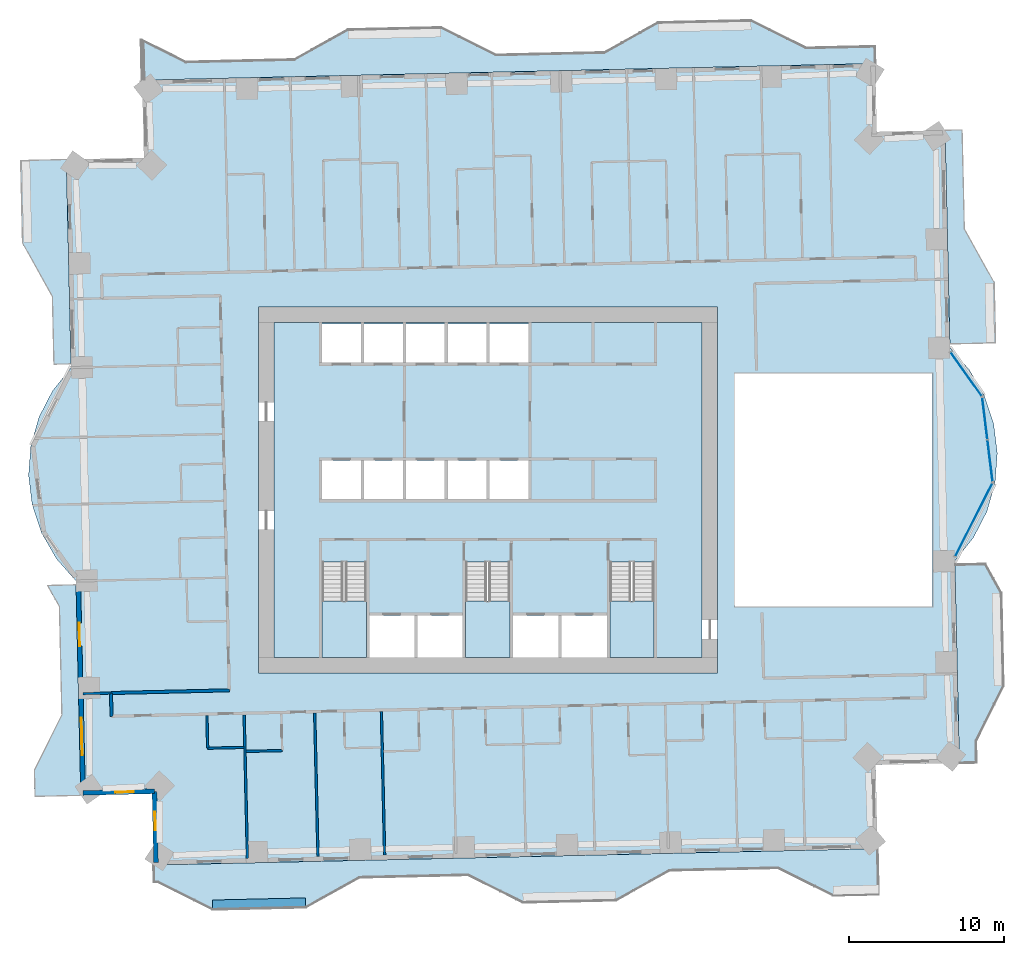
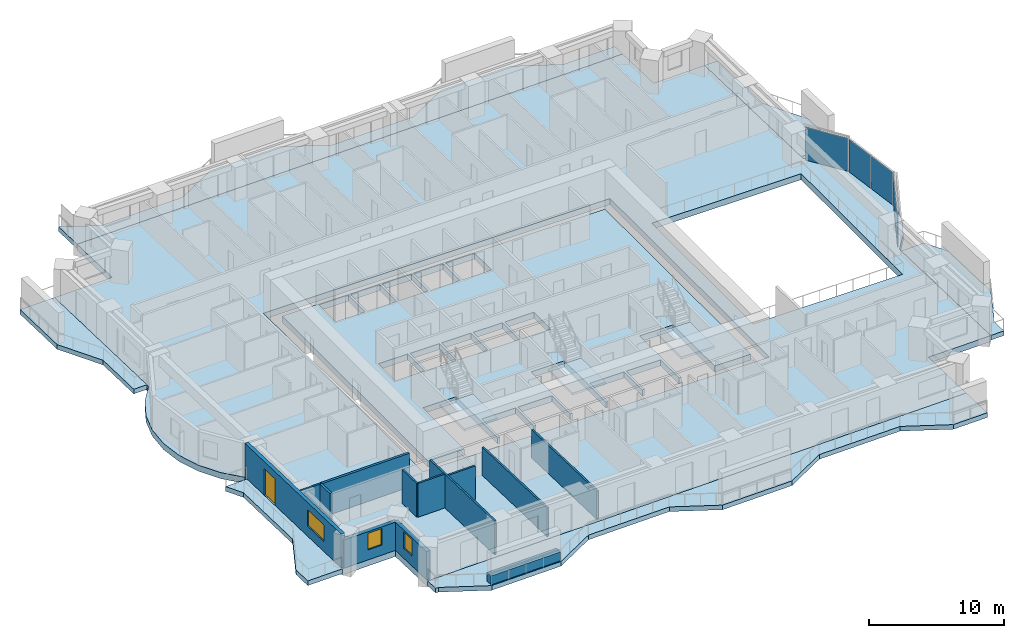
# One storey, part 5 of 17: 13 walls, 11 slabs, 4 plates, 3 windows, 1 door, 4 openings, 6 elements without a shape of their own.
"""IFC4 building model written with IfcOpenShell, lengths in metres."""

from ifc_helpers import new_model, si_unit, direction, frame, frame_2d, origin, origin_2d, place, context, subcontext, project, spatial, polyline, rectangle, outline, extrude, material, layer, layer_set, type_object, element, fill, aggregate, save


model = new_model("IFC4")

# Units and contexts
model_context = context("Model", 3, precision=1e-05, world=origin(), true_north=direction((0.0, 1.0)))
body_context = subcontext(model_context, "Body", "Model", "MODEL_VIEW")
ifc_project = project(units=[si_unit("LENGTHUNIT", "METRE"), si_unit("AREAUNIT", "SQUARE_METRE"), si_unit("VOLUMEUNIT", "CUBIC_METRE"), si_unit("PLANEANGLEUNIT", "RADIAN"), si_unit("MASSUNIT", "GRAM", prefix="KILO")], contexts=[model_context])

# Site, building, storey
site_placement = place(None, origin())
site = spatial("IfcSite", under=ifc_project, at=site_placement, CompositionType="ELEMENT")
building_placement = place(site_placement, origin())
building = spatial("IfcBuilding", under=site, at=building_placement, Name="Mangrove Gate Tower", CompositionType="ELEMENT")
storey_placement = place(building_placement, frame((0.0, 0.0, 93.699951171875)))
storey = spatial("IfcBuildingStorey", under=building, at=storey_placement, Name="L23", CompositionType="ELEMENT", Elevation=93.699951171875)

# Curtain wall, plate
ifc_material_1 = material(Name="Aluminium and glass curtain wall", Category="aluminium")
curtain_wall_type = type_object("IfcCurtainWallType", Name="Atrium garden-court glazing wall", PredefinedType="NOTDEFINED", material=ifc_material_1)
curtain_wall_1_placement = place(storey_placement, origin())
curtain_wall_1 = element("IfcCurtainWall", 1, at=curtain_wall_1_placement, inside=storey, type_object=curtain_wall_type, Name="Atrium garden-court glazing E1f1", PredefinedType="NOTDEFINED")
ifc_material_2 = material(Name="Laminated low-e glass", Category="glass")
ifc_layer_1 = layer(ifc_material_2, 0.031982421875)
ifc_layer_set_1 = layer_set([ifc_layer_1], Name="Atrium garden-court glazing panel 32")
plate_type = type_object("IfcPlateType", Name="Atrium garden-court glazing panel 32", PredefinedType="CURTAIN_PANEL", material=ifc_layer_set_1)
plate_1_placement = place(storey_placement, frame((31.310791015625, -1.928466796875, 0.0), z_axis=(0.0, 0.0, 1.0), x_axis=(0.452580762064, 0.891723417776, 0.0)))
plate_1 = element("IfcPlate", 2, at=plate_1_placement, type_object=plate_type, Name="CWA panel 1.1", PredefinedType="CURTAIN_PANEL", context=body_context, shape_type="SweptSolid", body=[
    extrude(rectangle(XDim=5.257568359375, YDim=0.031982421875, at=origin_2d()), origin(), (0.0, 0.0, 1.0), 2.97998046875),
])
aggregate(curtain_wall_1, [plate_1])

# Curtain wall, plates
curtain_wall_2_placement = place(storey_placement, origin())
curtain_wall_2 = element("IfcCurtainWall", 3, at=curtain_wall_2_placement, inside=storey, type_object=curtain_wall_type, Name="Atrium garden-court glazing E1f2", PredefinedType="NOTDEFINED")
plate_2_placement = place(storey_placement, frame((32.35986328125, 1.87841796875, 0.0), z_axis=(0.0, 0.0, 1.0), x_axis=(-0.122172286076, 0.992508908028, 0.0)))
plate_2 = element("IfcPlate", 4, at=plate_2_placement, type_object=plate_type, Name="CWA panel 1.1", PredefinedType="CURTAIN_PANEL", context=body_context, shape_type="SweptSolid", body=[
    extrude(rectangle(XDim=2.681640625, YDim=0.031982421875, at=origin_2d()), origin(), (0.0, 0.0, 1.0), 2.97998046875),
])
plate_3_placement = place(storey_placement, frame((32.023681640625, 4.609619140625, 0.0), z_axis=(0.0, 0.0, 1.0), x_axis=(-0.122172286076, 0.992508908028, 0.0)))
plate_3 = element("IfcPlate", 5, at=plate_3_placement, type_object=plate_type, Name="CWA panel 2.1", PredefinedType="CURTAIN_PANEL", context=body_context, shape_type="SweptSolid", body=[
    extrude(rectangle(XDim=2.681640625, YDim=0.031982421875, at=origin_2d()), origin(), (0.0, 0.0, 1.0), 2.97998046875),
])
aggregate(curtain_wall_2, [plate_2, plate_3])

# Curtain wall, plate
curtain_wall_3_placement = place(storey_placement, origin())
curtain_wall_3 = element("IfcCurtainWall", 6, at=curtain_wall_3_placement, inside=storey, type_object=curtain_wall_type, Name="Atrium garden-court glazing E1f3", PredefinedType="NOTDEFINED")
plate_4_placement = place(storey_placement, frame((30.81982421875, 7.465576171875, 0.0), z_axis=(0.0, 0.0, 1.0), x_axis=(-0.578109291006, 0.815959341911, 0.0)))
plate_4 = element("IfcPlate", 7, at=plate_4_placement, type_object=plate_type, Name="CWA panel 1.1", PredefinedType="CURTAIN_PANEL", context=body_context, shape_type="SweptSolid", body=[
    extrude(rectangle(XDim=3.42822265625, YDim=0.031982421875, at=origin_2d()), origin(), (0.0, 0.0, 1.0), 2.97998046875),
])
aggregate(curtain_wall_3, [plate_4])

# Slabs
ifc_material_3 = material(Name="Porcelain tile")
ifc_layer_2 = layer(ifc_material_3, 0.02001953125, Name="Tile finish")
ifc_material_4 = material(Name="Cement sand screed")
ifc_layer_3 = layer(ifc_material_4, 0.0400390625, Name="Screed laid to falls")
ifc_material_5 = material(Name="Bituminous waterproofing membrane")
ifc_layer_4 = layer(ifc_material_5, 0.00390625, Name="Waterproofing")
ifc_material_6 = material(Name="Concrete C40/50", Category="concrete")
ifc_layer_5 = layer(ifc_material_6, 0.340087890625, Name="Balcony structural slab")
ifc_material_7 = material(Name="Limestone", Category="masonry")
ifc_layer_6 = layer(ifc_material_7, 0.01611328125, Name="Soffit lining")
ifc_layer_set_2 = layer_set([ifc_layer_2, ifc_layer_3, ifc_layer_4, ifc_layer_5, ifc_layer_6], Name="Balcony slab 420 C40/50")
slab_type_1 = type_object("IfcSlabType", Name="Balcony slab 420 C40/50", PredefinedType="FLOOR", material=ifc_layer_set_2)
slab_1_placement = place(storey_placement, frame((0.0, 0.0, -0.419921875)))
element("IfcSlab", 8, at=slab_1_placement, inside=storey, type_object=slab_type_1, Name="BALCONY L23 E0", PredefinedType="FLOOR", context=body_context, shape_type="SweptSolid", body=[
    extrude(outline(polyline([(31.52001953125, -17.575927734375), (31.488037109375, -16.177001953125), (33.258056640625, -12.635009765625), (33.1220703125, -6.636962890625), (32.089111328125, -4.784912109375), (30.090087890625, -4.8310546875), (30.133056640625, -6.705078125), (30.26904296875, -12.702880859375), (30.347900390625, -16.201904296875), (30.3798828125, -17.60205078125), (31.52001953125, -17.575927734375)])), origin(), (0.0, 0.0, 1.0), 0.419921875),
])
slab_2_placement = place(storey_placement, frame((0.0, 0.0, -0.419921875)))
element("IfcSlab", 9, at=slab_2_placement, inside=storey, type_object=slab_type_1, Name="BALCONY L23 E1", PredefinedType="FLOOR", context=body_context, shape_type="SweptSolid", body=[
    extrude(outline(polyline([(32.756103515625, 9.48388671875), (32.66796875, 13.35791015625), (30.739013671875, 16.81494140625), (30.593994140625, 23.212890625), (29.455078125, 23.18701171875), (29.60009765625, 16.7890625), (29.678955078125, 13.2900390625), (29.76708984375, 9.416015625), (32.756103515625, 9.48388671875)])), origin(), (0.0, 0.0, 1.0), 0.419921875),
])
slab_3_placement = place(storey_placement, frame((0.0, 0.0, -0.419921875)))
element("IfcSlab", 10, at=slab_3_placement, inside=storey, type_object=slab_type_1, Name="BALCONY L23 N0", PredefinedType="FLOOR", context=body_context, shape_type="SweptSolid", body=[
    extrude(outline(polyline([(24.929931640625, 28.6259765625), (20.4951171875, 28.52587890625), (16.9541015625, 30.2958984375), (10.9560546875, 30.159912109375), (7.498046875, 28.23095703125), (0.5, 28.072998046875), (-3.041015625, 29.842041015625), (-9.0390625, 29.7060546875), (-12.49609375, 27.777099609375), (-19.4951171875, 27.618896484375), (-22.364013671875, 29.052001953125), (-22.303955078125, 26.4140625), (24.9560546875, 27.487060546875), (24.929931640625, 28.6259765625)])), origin(), (0.0, 0.0, 1.0), 0.419921875),
])
slab_4_placement = place(storey_placement, frame((0.0, 0.0, -0.419921875)))
element("IfcSlab", 11, at=slab_4_placement, inside=storey, type_object=slab_type_1, Name="BALCONY L23 W0", PredefinedType="FLOOR", context=body_context, shape_type="SweptSolid", body=[
    extrude(outline(polyline([(-30.177978515625, 21.23388671875), (-30.05810546875, 15.93505859375), (-28.12890625, 12.47802734375), (-28.030029296875, 8.10498046875), (-26.889892578125, 8.131103515625), (-26.989990234375, 12.50390625), (-27.069091796875, 16.0029296875), (-27.18896484375, 21.302001953125), (-30.177978515625, 21.23388671875)])), origin(), (0.0, 0.0, 1.0), 0.419921875),
])
slab_5_placement = place(storey_placement, frame((0.0, 0.0, -0.419921875)))
element("IfcSlab", 12, at=slab_5_placement, inside=storey, type_object=slab_type_1, Name="BALCONY L23 W1", PredefinedType="FLOOR", context=body_context, shape_type="SweptSolid", body=[
    extrude(outline(polyline([(-28.43310546875, -6.158935546875), (-27.676025390625, -7.51708984375), (-27.51708984375, -14.514892578125), (-29.287109375, -18.055908203125), (-29.248046875, -19.7548828125), (-26.259033203125, -19.68798828125), (-26.298095703125, -17.988037109375), (-26.376953125, -14.489013671875), (-26.535888671875, -7.490966796875), (-26.56689453125, -6.115966796875), (-28.43310546875, -6.158935546875)])), origin(), (0.0, 0.0, 1.0), 0.419921875),
])
slab_6_placement = place(storey_placement, frame((0.0, 0.0, -0.419921875)))
element("IfcSlab", 13, at=slab_6_placement, inside=storey, type_object=slab_type_1, Name="BALCONY L23 S0", PredefinedType="FLOOR", context=body_context, shape_type="SweptSolid", body=[
    extrude(outline(polyline([(-21.530029296875, -25.322021484375), (-21.2939453125, -25.31591796875), (-17.7529296875, -27.0859375), (-11.7548828125, -26.949951171875), (-8.297119140625, -25.02099609375), (-1.299072265625, -24.863037109375), (1.8359375, -26.429931640625), (2.241943359375, -26.633056640625), (8.239990234375, -26.4970703125), (11.697021484375, -24.568115234375), (18.696044921875, -24.409912109375), (22.237060546875, -26.178955078125), (25.172119140625, -26.112060546875), (25.10400390625, -23.123046875), (2.174072265625, -23.64306640625), (1.77392578125, -23.653076171875), (-21.555908203125, -24.181884765625), (-21.530029296875, -25.322021484375)])), origin(), (0.0, 0.0, 1.0), 0.419921875),
])
ifc_material_8 = material(Name="Concrete C40/50", Category="concrete")
ifc_layer_7 = layer(ifc_material_8, 0.550048828125)
ifc_layer_set_3 = layer_set([ifc_layer_7], Name="Core floor slab 550 C40/50")
slab_type_2 = type_object("IfcSlabType", Name="Core floor slab 550 C40/50", PredefinedType="FLOOR", material=ifc_layer_set_3)
slab_7_placement = place(storey_placement, frame((0.0, 0.0, -0.550048828125)))
element("IfcSlab", 14, at=slab_7_placement, inside=storey, type_object=slab_type_2, Name="SLAB-L23-CORE-1", PredefinedType="FLOOR", context=body_context, shape_type="SweptSolid", body=[
    extrude(outline(polyline([(-13.800048828125, -10.800048828125), (-13.800048828125, 10.800048828125), (13.800048828125, 10.800048828125), (13.800048828125, -10.800048828125), (10.699951171875, -10.800048828125), (10.699951171875, -4.653076171875), (7.85009765625, -4.653076171875), (7.85009765625, -10.800048828125), (7.64990234375, -10.800048828125), (7.64990234375, -8.10009765625), (4.72509765625, -8.10009765625), (4.72509765625, -10.800048828125), (4.52490234375, -10.800048828125), (4.52490234375, -8.10009765625), (1.60009765625, -8.10009765625), (1.60009765625, -10.800048828125), (1.39990234375, -10.800048828125), (1.39990234375, -4.653076171875), (-1.449951171875, -4.653076171875), (-1.449951171875, -10.800048828125), (-1.64990234375, -10.800048828125), (-1.64990234375, -8.10009765625), (-4.550048828125, -8.10009765625), (-4.550048828125, -10.800048828125), (-4.75, -10.800048828125), (-4.75, -8.10009765625), (-7.64990234375, -8.10009765625), (-7.64990234375, -10.800048828125), (-7.85009765625, -10.800048828125), (-7.85009765625, -4.653076171875), (-10.699951171875, -4.653076171875), (-10.699951171875, -10.800048828125), (-13.800048828125, -10.800048828125)]), holes=[polyline([(-8.199951171875, -0.60009765625), (-8.199951171875, 1.89990234375), (-10.699951171875, 1.89990234375), (-10.699951171875, -0.60009765625), (-8.199951171875, -0.60009765625)]), polyline([(-5.5, -0.60009765625), (-5.5, 1.89990234375), (-8.0, 1.89990234375), (-8.0, -0.60009765625), (-5.5, -0.60009765625)]), polyline([(-2.800048828125, -0.60009765625), (-2.800048828125, 1.89990234375), (-5.300048828125, 1.89990234375), (-5.300048828125, -0.60009765625), (-2.800048828125, -0.60009765625)]), polyline([(-8.199951171875, 8.199951171875), (-8.199951171875, 10.699951171875), (-10.699951171875, 10.699951171875), (-10.699951171875, 8.199951171875), (-8.199951171875, 8.199951171875)]), polyline([(-5.5, 8.199951171875), (-5.5, 10.699951171875), (-8.0, 10.699951171875), (-8.0, 8.199951171875), (-5.5, 8.199951171875)]), polyline([(-2.800048828125, 8.199951171875), (-2.800048828125, 10.699951171875), (-5.300048828125, 10.699951171875), (-5.300048828125, 8.199951171875), (-2.800048828125, 8.199951171875)]), polyline([(-0.10009765625, -0.60009765625), (-0.10009765625, 1.89990234375), (-2.60009765625, 1.89990234375), (-2.60009765625, -0.60009765625), (-0.10009765625, -0.60009765625)]), polyline([(2.60009765625, -0.60009765625), (2.60009765625, 1.89990234375), (0.10009765625, 1.89990234375), (0.10009765625, -0.60009765625), (2.60009765625, -0.60009765625)]), polyline([(-2.60009765625, 8.199951171875), (-0.10009765625, 8.199951171875), (-0.10009765625, 10.699951171875), (-2.60009765625, 10.699951171875), (-2.60009765625, 8.199951171875)]), polyline([(0.10009765625, 8.199951171875), (2.60009765625, 8.199951171875), (2.60009765625, 10.699951171875), (0.10009765625, 10.699951171875), (0.10009765625, 8.199951171875)])]), origin(), (0.0, 0.0, 1.0), 0.550048828125),
])

# Stair, slab
ifc_material_9 = material(Name="Concrete C40/50", Category="concrete")
stair_type = type_object("IfcStairType", Name="Core stair 1350", PredefinedType="HALF_TURN_STAIR", material=ifc_material_9)
stair_1_placement = place(storey_placement, origin())
stair_1 = element("IfcStair", 15, at=stair_1_placement, inside=storey, type_object=stair_type, Name="L23 Stair 1", PredefinedType="HALF_TURN_STAIR")
ifc_material_10 = material(Name="Concrete C40/50", Category="concrete")
ifc_layer_8 = layer(ifc_material_10, 0.199951171875)
ifc_layer_set_4 = layer_set([ifc_layer_8], Name="Core stair landing 200")
slab_type_3 = type_object("IfcSlabType", Name="Core stair landing 200", PredefinedType="LANDING", material=ifc_layer_set_4)
slab_8_placement = place(storey_placement, frame((0.0, 0.0, 1.60009765625)))
slab_8 = element("IfcSlab", 16, at=slab_8_placement, type_object=slab_type_3, Name="ST1 landing 1", PredefinedType="LANDING", context=body_context, shape_type="SweptSolid", body=[
    extrude(outline(polyline([(-10.699951171875, -7.169921875), (-10.699951171875, -10.800048828125), (-7.85009765625, -10.800048828125), (-7.85009765625, -7.169921875), (-10.699951171875, -7.169921875)])), origin(), (0.0, 0.0, 1.0), 0.199951171875),
])
aggregate(stair_1, [slab_8])

stair_2_placement = place(storey_placement, origin())
stair_2 = element("IfcStair", 17, at=stair_2_placement, inside=storey, type_object=stair_type, Name="L23 Stair 2", PredefinedType="HALF_TURN_STAIR")
slab_9_placement = place(storey_placement, frame((0.0, 0.0, 1.60009765625)))
slab_9 = element("IfcSlab", 18, at=slab_9_placement, type_object=slab_type_3, Name="ST2 landing 1", PredefinedType="LANDING", context=body_context, shape_type="SweptSolid", body=[
    extrude(outline(polyline([(-1.449951171875, -7.169921875), (-1.449951171875, -10.800048828125), (1.39990234375, -10.800048828125), (1.39990234375, -7.169921875), (-1.449951171875, -7.169921875)])), origin(), (0.0, 0.0, 1.0), 0.199951171875),
])
aggregate(stair_2, [slab_9])

stair_3_placement = place(storey_placement, origin())
stair_3 = element("IfcStair", 19, at=stair_3_placement, inside=storey, type_object=stair_type, Name="L23 Stair 3", PredefinedType="HALF_TURN_STAIR")
slab_10_placement = place(storey_placement, frame((0.0, 0.0, 1.60009765625)))
slab_10 = element("IfcSlab", 20, at=slab_10_placement, type_object=slab_type_3, Name="ST3 landing 1", PredefinedType="LANDING", context=body_context, shape_type="SweptSolid", body=[
    extrude(outline(polyline([(7.85009765625, -7.169921875), (7.85009765625, -10.800048828125), (10.699951171875, -10.800048828125), (10.699951171875, -7.169921875), (7.85009765625, -7.169921875)])), origin(), (0.0, 0.0, 1.0), 0.199951171875),
])
aggregate(stair_3, [slab_10])

# Slab
ifc_material_11 = material(Name="Concrete C40/50", Category="concrete")
ifc_layer_9 = layer(ifc_material_11, 0.550048828125)
ifc_layer_set_5 = layer_set([ifc_layer_9], Name="Floor slab 550 C40/50")
slab_type_4 = type_object("IfcSlabType", Name="Floor slab 550 C40/50", PredefinedType="FLOOR", material=ifc_layer_set_5)
slab_11_placement = place(storey_placement, frame((0.0, 0.0, -0.550048828125)))
element("IfcSlab", 21, at=slab_11_placement, inside=storey, type_object=slab_type_4, Name="Floor slab L23", PredefinedType="FLOOR", context=body_context, shape_type="SweptSolid", body=[
    extrude(outline(polyline([(-21.555908203125, -24.181884765625), (25.10400390625, -23.123046875), (24.981689453125, -17.724609375), (30.380126953125, -17.60205078125), (30.084716796875, -4.58056640625), (31.28125, -3.08837890625), (32.158203125, -1.388427734375), (32.6806640625, 0.45166015625), (32.827880859375, 2.358642578125), (32.59423828125, 4.257080078125), (31.98876953125, 6.071533203125), (31.03564453125, 7.72998046875), (29.772705078125, 9.16650390625), (29.45458984375, 23.1875), (25.0556640625, 23.087646484375), (24.955810546875, 27.486572265625), (-22.303955078125, 26.4140625), (-22.1904296875, 21.415283203125), (-27.189208984375, 21.302001953125), (-26.884765625, 7.880615234375), (-28.081298828125, 6.388427734375), (-28.958251953125, 4.6884765625), (-29.480712890625, 2.848388671875), (-29.6279296875, 0.94140625), (-29.394287109375, -0.95703125), (-28.788818359375, -2.771484375), (-27.835693359375, -4.429931640625), (-26.57275390625, -5.866455078125), (-26.259033203125, -19.6875), (-21.66015625, -19.583251953125), (-21.555908203125, -24.181884765625)]), holes=[polyline([(15.89990234375, 7.5), (28.658935546875, 7.5), (28.658935546875, -7.5), (15.89990234375, -7.5), (15.89990234375, 7.5)]), polyline([(-14.800048828125, -11.800048828125), (-14.800048828125, 11.800048828125), (14.800048828125, 11.800048828125), (14.800048828125, -11.800048828125), (-14.800048828125, -11.800048828125)])]), origin(), (0.0, 0.0, 1.0), 0.550048828125),
])

# Walls
ifc_material_12 = material(Name="Gypsum board on steel stud, EI 60", Category="steel")
ifc_layer_10 = layer(ifc_material_12, 0.199951171875)
ifc_layer_set_6 = layer_set([ifc_layer_10], Name="Corridor wall EI 60")
wall_type_1 = type_object("IfcWallType", Name="Corridor wall EI 60", PredefinedType="PARTITIONING", material=ifc_layer_set_6)
wall_1_placement = place(storey_placement, frame((-24.278076171875, -14.591064453125, 0.0), z_axis=(0.0, 0.0, 1.0), x_axis=(-0.022632637625, 0.99974384905, 0.0)))
element("IfcWall", 22, at=wall_1_placement, inside=storey, type_object=wall_type_1, Name="WALL-L23-029", PredefinedType="PARTITIONING", context=body_context, shape_type="SweptSolid", body=[
    extrude(rectangle(XDim=1.49951171875, YDim=0.199951171875, at=frame_2d((0.749755859375, 0.0))), origin(), (0.0, 0.0, 1.0), 3.050048828125),
])
wall_2_placement = place(storey_placement, frame((-24.30810546875, -13.092041015625, 0.0), z_axis=(0.0, 0.0, 1.0), x_axis=(0.999739800004, 0.022810793222, 0.0)))
element("IfcWall", 23, at=wall_2_placement, inside=storey, type_object=wall_type_1, Name="WALL-L23-033", PredefinedType="PARTITIONING", context=body_context, shape_type="SweptSolid", body=[
    extrude(rectangle(XDim=7.631103515625, YDim=0.199951171875, at=frame_2d((3.8154296875, 0.0))), origin(), (0.0, 0.0, 1.0), 3.050048828125),
])

# Wall, openings, door, window
ifc_layer_11 = layer(ifc_material_7, 0.0400390625, Name="Limestone cladding")
ifc_material_13 = material(Name="Ventilated air gap")
ifc_layer_12 = layer(ifc_material_13, 0.0400390625, Name="Ventilated cavity")
ifc_material_14 = material(Name="Mineral wool insulation")
ifc_layer_13 = layer(ifc_material_14, 0.06005859375, Name="Insulation")
ifc_material_15 = material(Name="Breather membrane")
ifc_layer_14 = layer(ifc_material_15, 0.001953125, Name="Breather membrane")
ifc_material_16 = material(Name="Concrete C20/25 blockwork", Category="masonry")
ifc_layer_15 = layer(ifc_material_16, 0.14990234375, Name="Blockwork backing wall")
ifc_material_17 = material(Name="Gypsum plaster")
ifc_layer_16 = layer(ifc_material_17, 0.008056640625, Name="Internal plaster")
ifc_layer_set_7 = layer_set([ifc_layer_11, ifc_layer_12, ifc_layer_13, ifc_layer_14, ifc_layer_15, ifc_layer_16], Name="External wall 300 limestone cladding")
wall_type_2 = type_object("IfcWallType", Name="External wall 300 limestone cladding", PredefinedType="SOLIDWALL", material=ifc_layer_set_7)
wall_3_placement = place(storey_placement, frame((-26.424072265625, -5.80810546875, 0.0), z_axis=(0.0, 0.0, 1.0), x_axis=(0.022654755793, -0.999743348085, 0.0)))
wall_3 = element("IfcWall", 24, at=wall_3_placement, inside=storey, type_object=wall_type_2, Name="WALL-L23-W10", PredefinedType="SOLIDWALL", context=body_context, shape_type="SweptSolid", body=[
    extrude(rectangle(XDim=13.729248046875, YDim=0.300048828125, at=frame_2d((6.86474609375, 0.0))), origin(), (0.0, 0.0, 1.0), 3.050048828125),
])
opening_1_placement = place(wall_3_placement, frame((2.760986328125, 0.0, 0.0)))
opening_1 = element("IfcOpeningElement", 25, at=opening_1_placement, cuts=wall_3, Name="Opening BD1", PredefinedType="OPENING", context=body_context, shape_type="SweptSolid", body=[
    extrude(rectangle(XDim=1.5, YDim=2.39990234375, at=frame_2d((0.75, 1.199951171875))), frame((0.0, 0.159912109375, 0.0), z_axis=(0.0, -1.0, 0.0), x_axis=(1.0, 0.0, 0.0)), (0.0, 0.0, 1.0), 0.320068359375),
])
opening_2_placement = place(wall_3_placement, frame((8.89404296875, 0.0, 0.89990234375)))
opening_2 = element("IfcOpeningElement", 26, at=opening_2_placement, cuts=wall_3, Name="Opening W2", PredefinedType="OPENING", context=body_context, shape_type="SweptSolid", body=[
    extrude(rectangle(XDim=2.39990234375, YDim=1.5, at=frame_2d((1.199951171875, 0.75))), frame((0.0, 0.159912109375, 0.0), z_axis=(0.0, -1.0, 0.0), x_axis=(1.0, 0.0, 0.0)), (0.0, 0.0, 1.0), 0.320068359375),
])
ifc_material_18 = material(Name="Aluminium frame with laminated clear glass", Category="aluminium")
door_type = type_object("IfcDoorType", Name="Balcony sliding door 1500x2400", OperationType="SLIDING_TO_LEFT", PredefinedType="DOOR", material=ifc_material_18)
door_placement = place(opening_1_placement, origin())
door = element("IfcDoor", 27, at=door_placement, inside=storey, type_object=door_type, Name="DOOR-L23-W10-1", OperationType="SLIDING_TO_LEFT", OverallHeight=2.39990234375, OverallWidth=1.5, PredefinedType="DOOR", context=body_context, shape_type="SweptSolid", body=[
    extrude(rectangle(XDim=1.5, YDim=2.39990234375, at=frame_2d((0.75, 1.199951171875))), frame((0.0, 0.02490234375, 0.0), z_axis=(0.0, -1.0, 0.0), x_axis=(1.0, 0.0, 0.0)), (0.0, 0.0, 1.0), 0.050048828125),
])
fill(opening_1, door)
ifc_material_19 = material(Name="Aluminium frame with double-glazed low-e glass", Category="aluminium")
window_type_1 = type_object("IfcWindowType", Name="Corner room window 2400x1500", PartitioningType="DOUBLE_PANEL_VERTICAL", PredefinedType="WINDOW", material=ifc_material_19)
window_1_placement = place(opening_2_placement, origin())
window_1 = element("IfcWindow", 28, at=window_1_placement, inside=storey, type_object=window_type_1, Name="WIN-L23-W10-2", OverallHeight=1.5, OverallWidth=2.39990234375, PartitioningType="DOUBLE_PANEL_VERTICAL", PredefinedType="WINDOW", context=body_context, shape_type="SweptSolid", body=[
    extrude(rectangle(XDim=2.39990234375, YDim=1.5, at=frame_2d((1.199951171875, 0.75))), frame((0.0, 0.030029296875, 0.0), z_axis=(0.0, -1.0, 0.0), x_axis=(1.0, 0.0, 0.0)), (0.0, 0.0, 1.0), 0.06005859375),
])
fill(opening_2, window_1)

# Wall, opening, window
wall_4_placement = place(storey_placement, frame((-26.113037109375, -19.533935546875, 0.0), z_axis=(0.0, 0.0, 1.0), x_axis=(0.999744404568, 0.02260808559, 0.0)))
wall_4 = element("IfcWall", 29, at=wall_4_placement, inside=storey, type_object=wall_type_2, Name="WALL-L23-S11", PredefinedType="SOLIDWALL", context=body_context, shape_type="SweptSolid", body=[
    extrude(rectangle(XDim=4.600341796875, YDim=0.300048828125, at=frame_2d((2.30029296875, 0.0))), origin(), (0.0, 0.0, 1.0), 2.550048828125),
])
opening_3_placement = place(wall_4_placement, frame((2.0791015625, 0.0, 0.89990234375)))
opening_3 = element("IfcOpeningElement", 30, at=opening_3_placement, cuts=wall_4, Name="Opening W1", PredefinedType="OPENING", context=body_context, shape_type="SweptSolid", body=[
    extrude(rectangle(XDim=1.199951171875, YDim=1.5, at=frame_2d((0.60009765625, 0.75))), frame((0.0, 0.159912109375, 0.0), z_axis=(0.0, -1.0, 0.0), x_axis=(1.0, 0.0, 0.0)), (0.0, 0.0, 1.0), 0.320068359375),
])
ifc_material_20 = material(Name="Aluminium frame with double-glazed low-e glass", Category="aluminium")
window_type_2 = type_object("IfcWindowType", Name="Side lite 1200x1500", PartitioningType="SINGLE_PANEL", PredefinedType="WINDOW", material=ifc_material_20)
window_2_placement = place(opening_3_placement, origin())
window_2 = element("IfcWindow", 31, at=window_2_placement, inside=storey, type_object=window_type_2, Name="WIN-L23-S11-1", OverallHeight=1.5, OverallWidth=1.199951171875, PartitioningType="SINGLE_PANEL", PredefinedType="WINDOW", context=body_context, shape_type="SweptSolid", body=[
    extrude(rectangle(XDim=1.199951171875, YDim=1.5, at=frame_2d((0.60009765625, 0.75))), frame((0.0, 0.030029296875, 0.0), z_axis=(0.0, -1.0, 0.0), x_axis=(1.0, 0.0, 0.0)), (0.0, 0.0, 1.0), 0.06005859375),
])
fill(opening_3, window_2)

wall_5_placement = place(storey_placement, frame((-21.513916015625, -19.429931640625, 0.0), z_axis=(0.0, 0.0, 1.0), x_axis=(0.022820258049, -0.999739584003, 0.0)))
wall_5 = element("IfcWall", 32, at=wall_5_placement, inside=storey, type_object=wall_type_2, Name="WALL-L23-W12", PredefinedType="SOLIDWALL", context=body_context, shape_type="SweptSolid", body=[
    extrude(rectangle(XDim=4.600341796875, YDim=0.300048828125, at=frame_2d((2.30029296875, 0.0))), origin(), (0.0, 0.0, 1.0), 2.550048828125),
])
opening_4_placement = place(wall_5_placement, frame((1.322021484375, 0.0, 0.89990234375)))
opening_4 = element("IfcOpeningElement", 33, at=opening_4_placement, cuts=wall_5, Name="Opening W1", PredefinedType="OPENING", context=body_context, shape_type="SweptSolid", body=[
    extrude(rectangle(XDim=1.199951171875, YDim=1.5, at=frame_2d((0.60009765625, 0.75))), frame((0.0, 0.159912109375, 0.0), z_axis=(0.0, -1.0, 0.0), x_axis=(1.0, 0.0, 0.0)), (0.0, 0.0, 1.0), 0.320068359375),
])
window_3_placement = place(opening_4_placement, origin())
window_3 = element("IfcWindow", 34, at=window_3_placement, inside=storey, type_object=window_type_2, Name="WIN-L23-W12-1", OverallHeight=1.5, OverallWidth=1.199951171875, PartitioningType="SINGLE_PANEL", PredefinedType="WINDOW", context=body_context, shape_type="SweptSolid", body=[
    extrude(rectangle(XDim=1.199951171875, YDim=1.5, at=frame_2d((0.60009765625, 0.75))), frame((0.0, 0.030029296875, 0.0), z_axis=(0.0, -1.0, 0.0), x_axis=(1.0, 0.0, 0.0)), (0.0, 0.0, 1.0), 0.06005859375),
])
fill(opening_4, window_3)

# Walls
ifc_material_21 = material(Name="Gypsum board on steel stud, EI 60", Category="steel")
ifc_layer_17 = layer(ifc_material_21, 0.14990234375)
ifc_layer_set_8 = layer_set([ifc_layer_17], Name="Party wall 150 EI 60")
wall_type_3 = type_object("IfcWallType", Name="Party wall 150 EI 60", PredefinedType="PARTITIONING", material=ifc_layer_set_8)
wall_6_placement = place(storey_placement, frame((-15.51806640625, -23.7451171875, 0.0), z_axis=(0.0, 0.0, 1.0), x_axis=(-0.022697424684, 0.999742380272, 0.0)))
element("IfcWall", 35, at=wall_6_placement, inside=storey, type_object=wall_type_3, Name="WALL-L23-001", PredefinedType="PARTITIONING", context=body_context, shape_type="SweptSolid", body=[
    extrude(rectangle(XDim=9.25048828125, YDim=0.14990234375, at=frame_2d((4.625244140625, 0.0))), origin(), (0.0, 0.0, 1.0), 3.050048828125),
])
wall_7_placement = place(storey_placement, frame((-10.968994140625, -23.64208984375, 0.0), z_axis=(0.0, 0.0, 1.0), x_axis=(-0.022697424684, 0.999742380272, 0.0)))
element("IfcWall", 36, at=wall_7_placement, inside=storey, type_object=wall_type_3, Name="WALL-L23-002", PredefinedType="PARTITIONING", context=body_context, shape_type="SweptSolid", body=[
    extrude(rectangle(XDim=9.25048828125, YDim=0.14990234375, at=frame_2d((4.625244140625, 0.0))), origin(), (0.0, 0.0, 1.0), 2.550048828125),
])
wall_8_placement = place(storey_placement, frame((-6.6708984375, -23.544921875, 0.0), z_axis=(0.0, 0.0, 1.0), x_axis=(-0.022592505393, 0.999744756775, 0.0)))
element("IfcWall", 37, at=wall_8_placement, inside=storey, type_object=wall_type_3, Name="WALL-L23-003", PredefinedType="PARTITIONING", context=body_context, shape_type="SweptSolid", body=[
    extrude(rectangle(XDim=9.250244140625, YDim=0.14990234375, at=frame_2d((4.625, 0.0))), origin(), (0.0, 0.0, 1.0), 2.550048828125),
])
wall_9_placement = place(storey_placement, frame((-15.595947265625, -16.85498046875, 0.0), z_axis=(0.0, 0.0, 1.0), x_axis=(0.999740478815, 0.022781023197, 0.0)))
element("IfcWall", 38, at=wall_9_placement, inside=storey, type_object=wall_type_3, Name="WALL-L23-016", PredefinedType="PARTITIONING", context=body_context, shape_type="SweptSolid", body=[
    extrude(rectangle(XDim=2.325439453125, YDim=0.14990234375, at=frame_2d((1.16259765625, 0.0))), origin(), (0.0, 0.0, 1.0), 3.050048828125),
])
wall_10_placement = place(storey_placement, frame((-18.080078125, -16.65087890625, 0.0), z_axis=(0.0, 0.0, 1.0), x_axis=(-0.022792727877, 0.999740212033, 0.0)))
element("IfcWall", 39, at=wall_10_placement, inside=storey, type_object=wall_type_3, Name="WALL-L23-027", PredefinedType="PARTITIONING", context=body_context, shape_type="SweptSolid", body=[
    extrude(rectangle(XDim=2.099365234375, YDim=0.14990234375, at=frame_2d((1.0498046875, 0.0))), origin(), (0.0, 0.0, 1.0), 3.050048828125),
])
wall_11_placement = place(storey_placement, frame((-18.075927734375, -16.65087890625, 0.0), z_axis=(0.0, 0.0, 1.0), x_axis=(0.999740478815, 0.022781023197, 0.0)))
element("IfcWall", 40, at=wall_11_placement, inside=storey, type_object=wall_type_3, Name="WALL-L23-028", PredefinedType="PARTITIONING", context=body_context, shape_type="SweptSolid", body=[
    extrude(rectangle(XDim=2.325439453125, YDim=0.14990234375, at=frame_2d((1.16259765625, 0.0))), origin(), (0.0, 0.0, 1.0), 3.050048828125),
])
wall_12_placement = place(storey_placement, frame((-26.10791015625, -13.132080078125, 0.0), z_axis=(0.0, 0.0, 1.0), x_axis=(0.999752642043, 0.022240834685, 0.0)))
element("IfcWall", 41, at=wall_12_placement, inside=storey, type_object=wall_type_3, Name="WALL-L23-032", PredefinedType="PARTITIONING", context=body_context, shape_type="SweptSolid", body=[
    extrude(rectangle(XDim=1.80029296875, YDim=0.14990234375, at=frame_2d((0.900146484375, 0.0))), origin(), (0.0, 0.0, 1.0), 3.050048828125),
])
ifc_material_22 = material(Name="Concrete C32/40", Category="concrete")
ifc_layer_18 = layer(ifc_material_22, 0.199951171875, Name="Planter trough wall")
ifc_layer_19 = layer(ifc_material_5, 0.0048828125, Name="Waterproofing")
ifc_material_23 = material(Name="Drainage board and gravel")
ifc_layer_20 = layer(ifc_material_23, 0.044921875, Name="Drainage layer")
ifc_material_24 = material(Name="Planting soil")
ifc_layer_21 = layer(ifc_material_24, 0.300048828125, Name="Growing medium")
ifc_layer_set_9 = layer_set([ifc_layer_18, ifc_layer_19, ifc_layer_20, ifc_layer_21], Name="Planter wall 550 C32/40")
wall_type_4 = type_object("IfcWallType", Name="Planter wall 550 C32/40", PredefinedType="USERDEFINED", material=ifc_layer_set_9)
wall_13_placement = place(storey_placement, frame((-17.760986328125, -26.7119140625, 0.0), z_axis=(0.0, 0.0, 1.0), x_axis=(0.999739392852, 0.022828630714, 0.0)))
element("IfcWall", 42, at=wall_13_placement, inside=storey, type_object=wall_type_4, Name="PLANTER L23 S0.1", ObjectType="PLANTER", PredefinedType="USERDEFINED", context=body_context, shape_type="SweptSolid", body=[
    extrude(rectangle(XDim=5.99951171875, YDim=0.550048828125, at=frame_2d((2.999755859375, 0.0))), origin(), (0.0, 0.0, 1.0), 0.800048828125),
])

save(model, "model.ifc")
